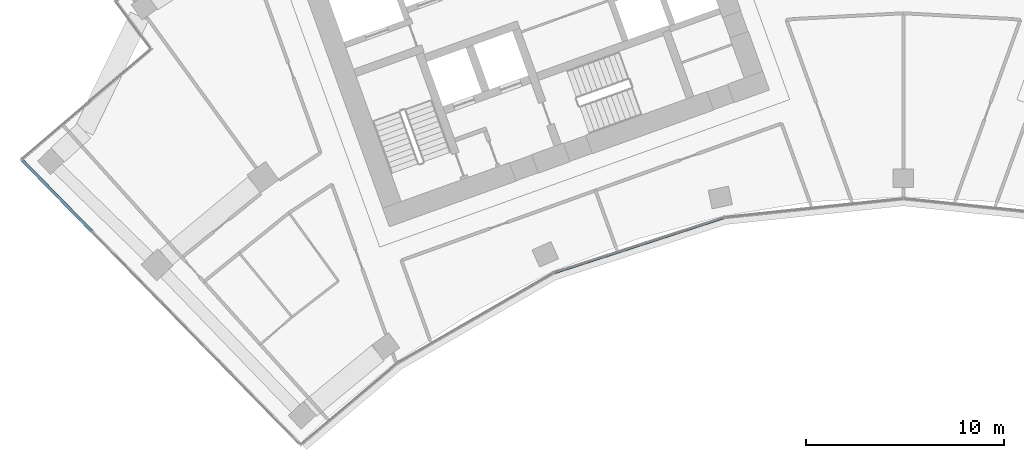
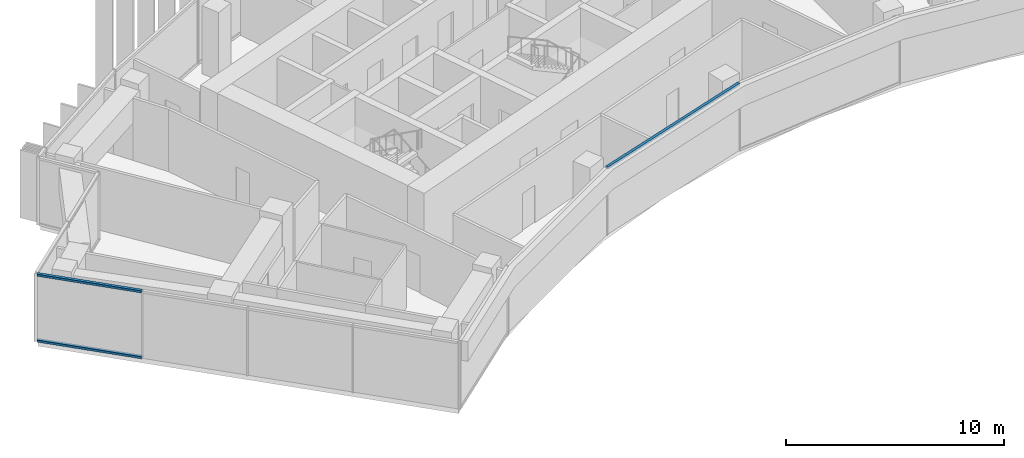
# One storey, part 3 of 19: 3 members, 2 elements without a shape of their own.
"""IFC4 building model written with IfcOpenShell, lengths in metres."""

from ifc_helpers import new_model, si_unit, direction, frame, origin, origin_2d, place, context, subcontext, project, spatial, rectangle, extrude, material, layer, layer_set, material_profile, profile_set, type_object, element, aggregate, save


model = new_model("IFC4")

# Units and contexts
model_context = context("Model", 3, precision=1e-05, world=origin(), true_north=direction((0.0, 1.0)))
body_context = subcontext(model_context, "Body", "Model", "MODEL_VIEW")
ifc_project = project(units=[si_unit("LENGTHUNIT", "METRE"), si_unit("AREAUNIT", "SQUARE_METRE"), si_unit("VOLUMEUNIT", "CUBIC_METRE"), si_unit("PLANEANGLEUNIT", "RADIAN"), si_unit("MASSUNIT", "GRAM", prefix="KILO")], contexts=[model_context])

# Site, building, storey
site_placement = place(None, origin())
site = spatial("IfcSite", under=ifc_project, at=site_placement, CompositionType="ELEMENT")
building_placement = place(site_placement, origin())
building = spatial("IfcBuilding", under=site, at=building_placement, Name="Stone Belt Terrace Tower", CompositionType="ELEMENT")
storey_placement = place(building_placement, frame((0.0, 0.0, 223.800048828125)))
storey = spatial("IfcBuildingStorey", under=building, at=storey_placement, Name="L54", CompositionType="ELEMENT", Elevation=223.800048828125)

# Curtain wall, member
ifc_material = material(Name="Aluminium 6063-T6 anodised frame", Category="aluminium")
ifc_layer_1 = layer(ifc_material, 0.14990234375)
ifc_layer_set_1 = layer_set([ifc_layer_1], Name="CW-B unitised concave-face curtain wall")
curtain_wall_type_1 = type_object("IfcCurtainWallType", Name="CW-B unitised concave-face curtain wall", PredefinedType="NOTDEFINED", material=ifc_layer_set_1)
curtain_wall_1_placement = place(storey_placement, origin())
curtain_wall_1 = element("IfcCurtainWall", 1, at=curtain_wall_1_placement, inside=storey, type_object=curtain_wall_type_1, Name="CW-B concave face L54", PredefinedType="NOTDEFINED")
ifc_material_profile_1 = material_profile(ifc_material, rectangle(XDim=0.14990234375, YDim=0.1201171875, at=origin_2d()), Name="Aluminium 6063-T6 150x120")
ifc_profile_set_1 = profile_set([ifc_material_profile_1], Name="Aluminium 6063-T6 anodised frame")
member_type_1 = type_object("IfcMemberType", Name="CW-B transom 120 x 150", PredefinedType="USERDEFINED", material=ifc_profile_set_1)
member_1_placement = place(storey_placement, frame((-17.63134765625, 39.680419921875, 3.739990234375), z_axis=(0.951055963285, 0.309018696359, 0.0), x_axis=(-0.309018696359, 0.951055963285, 0.0)))
member_1 = element("IfcMember", 2, at=member_1_placement, type_object=member_type_1, Name="CW-B transom 3.1", ObjectType="TRANSOM", PredefinedType="USERDEFINED", context=body_context, shape_type="SweptSolid", body=[
    extrude(rectangle(XDim=0.14990234375, YDim=0.1201171875, at=origin_2d()), origin(), (0.0, 0.0, 1.0), 9.012939453125),
])
aggregate(curtain_wall_1, [member_1])

# Curtain wall, members
ifc_layer_2 = layer(ifc_material, 0.14990234375)
ifc_layer_set_2 = layer_set([ifc_layer_2], Name="CW-C stick curtain wall, horn ends and notches")
curtain_wall_type_2 = type_object("IfcCurtainWallType", Name="CW-C stick curtain wall, horn ends and notches", PredefinedType="NOTDEFINED", material=ifc_layer_set_2)
curtain_wall_2_placement = place(storey_placement, origin())
curtain_wall_2 = element("IfcCurtainWall", 3, at=curtain_wall_2_placement, inside=storey, type_object=curtain_wall_type_2, Name="CW-C end face L54", PredefinedType="NOTDEFINED")
ifc_material_profile_2 = material_profile(ifc_material, rectangle(XDim=0.14990234375, YDim=0.1201171875, at=origin_2d()), Name="Aluminium 6063-T6 150x120")
ifc_profile_set_2 = profile_set([ifc_material_profile_2], Name="Aluminium 6063-T6 anodised frame")
member_type_2 = type_object("IfcMemberType", Name="CW-C transom 120 x 150", PredefinedType="USERDEFINED", material=ifc_profile_set_2)
member_2_placement = place(storey_placement, frame((-44.468505859375, 45.3369140625, 0.06005859375), z_axis=(0.699409716111, -0.714720958843, 0.0), x_axis=(0.714720958843, 0.699409716111, 0.0)))
member_2 = element("IfcMember", 4, at=member_2_placement, type_object=member_type_2, Name="CW-C transom 1.1", ObjectType="TRANSOM", PredefinedType="USERDEFINED", context=body_context, shape_type="SweptSolid", body=[
    extrude(rectangle(XDim=0.14990234375, YDim=0.1201171875, at=origin_2d()), origin(), (0.0, 0.0, 1.0), 4.974853515625),
])
member_3_placement = place(storey_placement, frame((-44.468505859375, 45.3369140625, 3.739990234375), z_axis=(0.699409716111, -0.714720958843, 0.0), x_axis=(0.714720958843, 0.699409716111, 0.0)))
member_3 = element("IfcMember", 5, at=member_3_placement, type_object=member_type_2, Name="CW-C transom 1.2", ObjectType="TRANSOM", PredefinedType="USERDEFINED", context=body_context, shape_type="SweptSolid", body=[
    extrude(rectangle(XDim=0.14990234375, YDim=0.1201171875, at=origin_2d()), origin(), (0.0, 0.0, 1.0), 4.974853515625),
])
aggregate(curtain_wall_2, [member_2, member_3])

save(model, "model.ifc")
